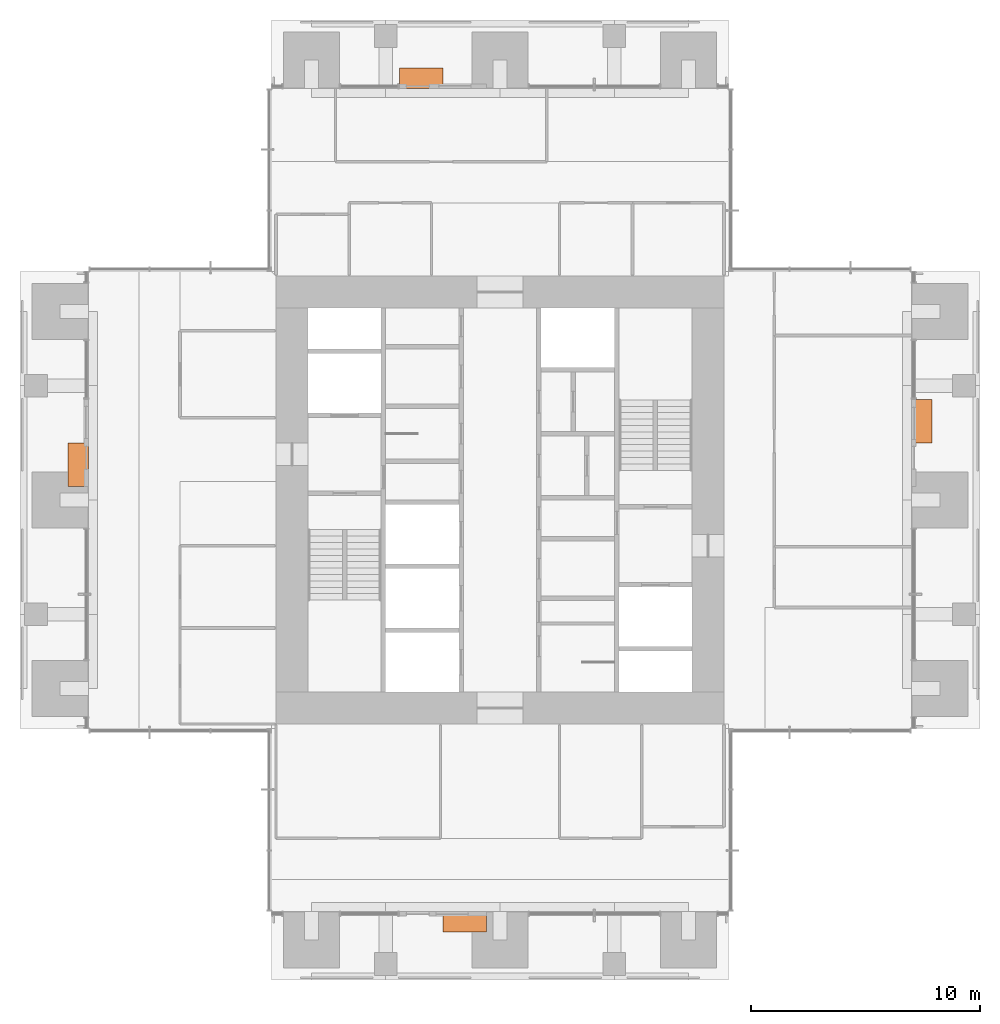
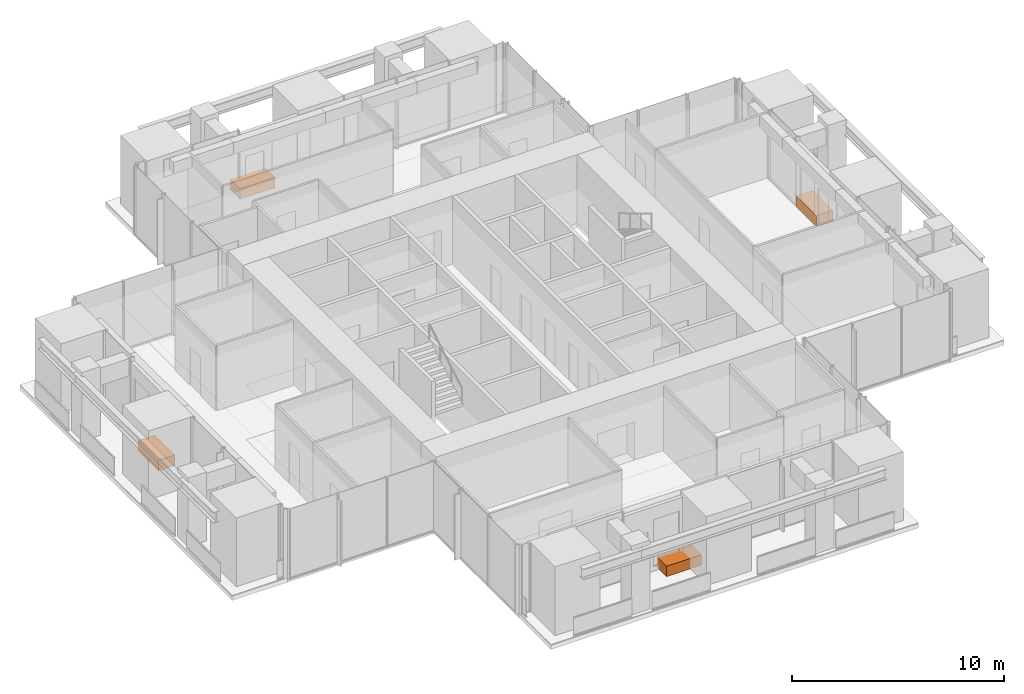
# One storey, part 17 of 17: 4 proxies.
"""IFC4 building model written with IfcOpenShell, lengths in metres."""

from ifc_helpers import new_model, si_unit, direction, frame, origin, origin_2d, place, context, subcontext, project, spatial, rectangle, extrude, element, save


model = new_model("IFC4")

# Units and contexts
model_context = context("Model", 3, precision=1e-05, world=origin(), true_north=direction((0.0, 1.0)))
body_context = subcontext(model_context, "Body", "Model", "MODEL_VIEW")
ifc_project = project(units=[si_unit("LENGTHUNIT", "METRE"), si_unit("AREAUNIT", "SQUARE_METRE"), si_unit("VOLUMEUNIT", "CUBIC_METRE"), si_unit("PLANEANGLEUNIT", "RADIAN"), si_unit("MASSUNIT", "GRAM", prefix="KILO")], contexts=[model_context])

# Site, building, storey
site_placement = place(None, origin())
site = spatial("IfcSite", under=ifc_project, at=site_placement, CompositionType="ELEMENT")
building_placement = place(site_placement, origin())
building = spatial("IfcBuilding", under=site, at=building_placement, Name="Svetlomir Tower", CompositionType="ELEMENT")
storey_placement = place(building_placement, frame((0.0, 0.0, 182.5)))
storey = spatial("IfcBuildingStorey", under=building, at=storey_placement, Name="L43", CompositionType="ELEMENT", Elevation=182.5)

# Proxies
proxy_1_placement = place(storey_placement, frame((19.449951171875, 2.550048828125, 0.0400390625), z_axis=(0.0, 0.0, 1.0), x_axis=(1.0, 0.0, 0.0)))
element("IfcBuildingElementProxy", 1, at=proxy_1_placement, inside=storey, Name="Tree planter S L43", ObjectType="PLANTER", PredefinedType="USERDEFINED", context=body_context, shape_type="SweptSolid", body=[
    extrude(rectangle(XDim=1.89990234375, YDim=0.89990234375, at=origin_2d()), origin(), (0.0, 0.0, 1.0), 0.60009765625),
])
proxy_2_placement = place(storey_placement, frame((39.449951171875, 24.449951171875, 0.0400390625), z_axis=(0.0, 0.0, 1.0), x_axis=(1.0, 0.0, 0.0)))
element("IfcBuildingElementProxy", 2, at=proxy_2_placement, inside=storey, Name="Tree planter E L43", ObjectType="PLANTER", PredefinedType="USERDEFINED", context=body_context, shape_type="SweptSolid", body=[
    extrude(rectangle(XDim=0.89990234375, YDim=1.89990234375, at=origin_2d()), origin(), (0.0, 0.0, 1.0), 0.60009765625),
])
proxy_3_placement = place(storey_placement, frame((17.550048828125, 39.449951171875, 0.0400390625), z_axis=(0.0, 0.0, 1.0), x_axis=(1.0, 0.0, 0.0)))
element("IfcBuildingElementProxy", 3, at=proxy_3_placement, inside=storey, Name="Tree planter N L43", ObjectType="PLANTER", PredefinedType="USERDEFINED", context=body_context, shape_type="SweptSolid", body=[
    extrude(rectangle(XDim=1.89990234375, YDim=0.89990234375, at=origin_2d()), origin(), (0.0, 0.0, 1.0), 0.60009765625),
])
proxy_4_placement = place(storey_placement, frame((2.550048828125, 22.550048828125, 0.0400390625), z_axis=(0.0, 0.0, 1.0), x_axis=(1.0, 0.0, 0.0)))
element("IfcBuildingElementProxy", 4, at=proxy_4_placement, inside=storey, Name="Tree planter W L43", ObjectType="PLANTER", PredefinedType="USERDEFINED", context=body_context, shape_type="SweptSolid", body=[
    extrude(rectangle(XDim=0.89990234375, YDim=1.89990234375, at=origin_2d()), origin(), (0.0, 0.0, 1.0), 0.60009765625),
])

save(model, "model.ifc")
